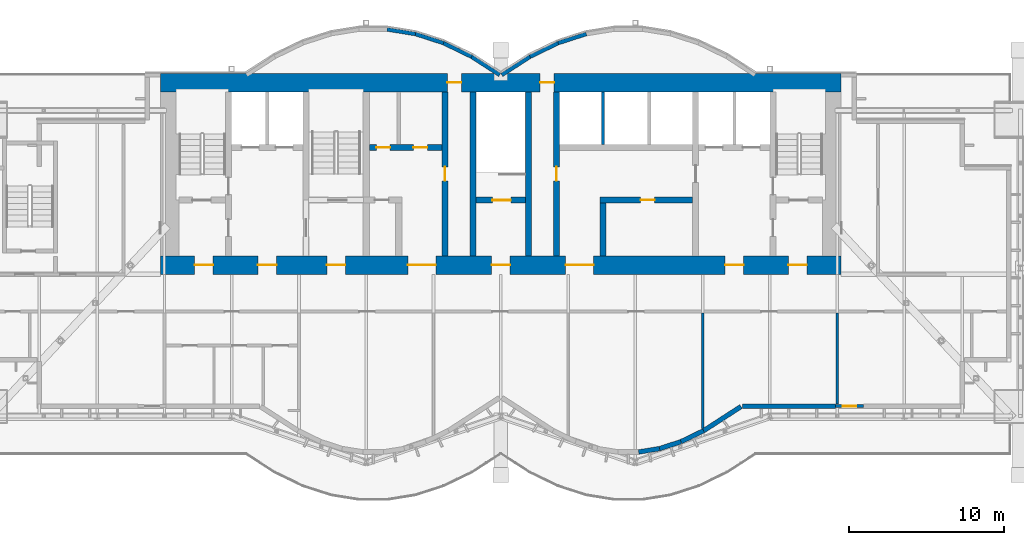
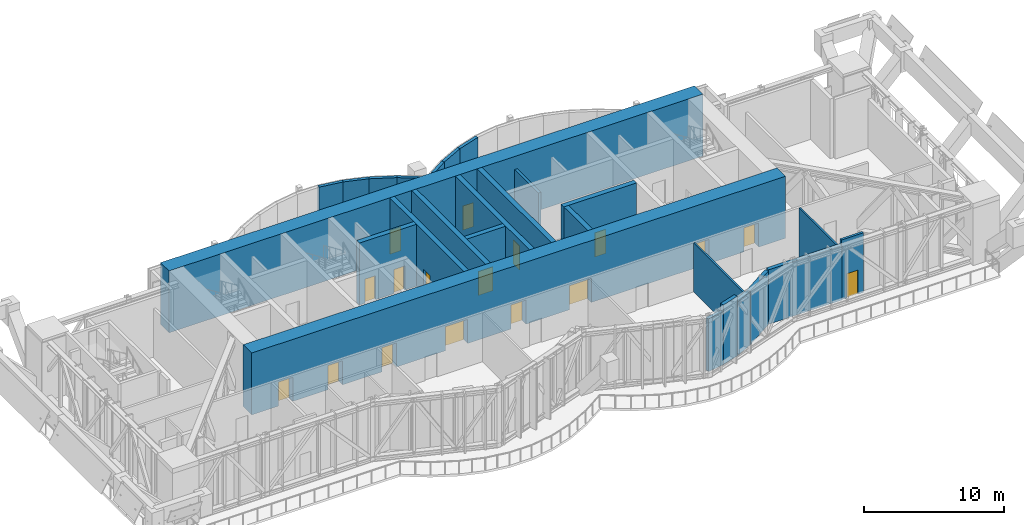
# One storey, part 15 of 20: 26 walls, 17 doors, 17 openings.
"""IFC4 building model written with IfcOpenShell, lengths in metres."""

from ifc_helpers import new_model, si_unit, direction, frame, frame_2d, origin, place, context, subcontext, project, spatial, rectangle, extrude, material, layer, layer_set, layer_usage, type_object, element, fill, save


model = new_model("IFC4")

# Units and contexts
model_context = context("Model", 3, precision=1e-05, world=origin(), true_north=direction((0.0, 1.0)))
body_context = subcontext(model_context, "Body", "Model", "MODEL_VIEW")
ifc_project = project(units=[si_unit("LENGTHUNIT", "METRE"), si_unit("AREAUNIT", "SQUARE_METRE"), si_unit("VOLUMEUNIT", "CUBIC_METRE"), si_unit("PLANEANGLEUNIT", "RADIAN"), si_unit("MASSUNIT", "GRAM", prefix="KILO")], contexts=[model_context])

# Site, building, storey
site_placement = place(None, origin())
site = spatial("IfcSite", under=ifc_project, at=site_placement, CompositionType="ELEMENT")
building_placement = place(site_placement, origin())
building = spatial("IfcBuilding", under=site, at=building_placement, Name="Bicima Exchange Tower", CompositionType="ELEMENT")
storey_placement = place(building_placement, frame((0.0, 0.0, 342.5)))
storey = spatial("IfcBuildingStorey", under=building, at=storey_placement, Name="L77", CompositionType="ELEMENT", Elevation=342.5)

# Wall, opening, door
ifc_material_1 = material(Name="Concrete C40/50", Category="concrete")
ifc_layer_1 = layer(ifc_material_1, 0.2)
ifc_layer_set_1 = layer_set([ifc_layer_1], Name="Concrete C40/50")
ifc_layer_usage_1 = layer_usage(ifc_layer_set_1, "AXIS2", "POSITIVE", -0.1)
wall_type_1 = type_object("IfcWallType", Name="Entrance frame wall 200", PredefinedType="STANDARD", material=ifc_layer_set_1)
wall_1_placement = place(storey_placement, frame((23.449951171875, -21.52587890625, 0.0), z_axis=(0.0, 0.0, 1.0), x_axis=(-1.0, 0.0, 0.0)))
wall_1 = element("IfcWall", 1, at=wall_1_placement, inside=storey, type_object=wall_type_1, material=ifc_layer_usage_1, Name="Band door frame wall L77", PredefinedType="STANDARD", context=body_context, shape_type="SweptSolid", body=[
    extrude(rectangle(XDim=1.800048828125, YDim=0.199951171875, at=frame_2d((0.89990234375, 0.0))), origin(), (0.0, 0.0, 1.0), 5.199951171875),
])
opening_1_placement = place(wall_1_placement, frame((0.449951171875, 0.0, 0.0)))
opening_1 = element("IfcOpeningElement", 2, at=opening_1_placement, cuts=wall_1, Name="Opening DX5", PredefinedType="OPENING", context=body_context, shape_type="SweptSolid", body=[
    extrude(rectangle(XDim=0.89990234375, YDim=2.10009765625, at=frame_2d((0.449951171875, 1.050048828125))), frame((0.0, 0.11181640625, 0.0), z_axis=(0.0, -1.0, 0.0), x_axis=(1.0, 0.0, 0.0)), (0.0, 0.0, 1.0), 0.223876953125),
])
ifc_material_2 = material(Name="Anodised bronze aluminium and bonded safety glass", Category="aluminium")
door_type_1 = type_object("IfcDoorType", Name="Band terrace door, single leaf 900 x 2100", OperationType="SINGLE_SWING_LEFT", PredefinedType="DOOR", material=ifc_material_2)
door_1_placement = place(opening_1_placement, origin())
door_1 = element("IfcDoor", 3, at=door_1_placement, inside=storey, type_object=door_type_1, Name="Band door door L77", OperationType="SINGLE_SWING_LEFT", OverallHeight=2.10009765625, OverallWidth=0.89990234375, PredefinedType="DOOR", context=body_context, shape_type="SweptSolid", body=[
    extrude(rectangle(XDim=0.89990234375, YDim=2.10009765625, at=frame_2d((0.449951171875, 1.050048828125))), frame((0.0, 0.02490234375, 0.0), z_axis=(0.0, -1.0, 0.0), x_axis=(1.0, 0.0, 0.0)), (0.0, 0.0, 1.0), 0.050048828125),
])
fill(opening_1, door_1)

# Walls
ifc_material_3 = material(Name="Gypsum board partition")
ifc_layer_2 = layer(ifc_material_3, 0.199951171875)
ifc_layer_set_2 = layer_set([ifc_layer_2], Name="Gypsum board partition")
wall_type_2 = type_object("IfcWallType", Name="Fire-rated gypsum partition 200 EI120", PredefinedType="PARTITIONING", material=ifc_layer_set_2)
wall_2_placement = place(storey_placement, frame((6.60009765625, -4.60009765625, 0.0), z_axis=(0.0, 0.0, 1.0), x_axis=(0.0, 1.0, 0.0)))
element("IfcWall", 4, at=wall_2_placement, inside=storey, type_object=wall_type_2, Name="partition wall 20", PredefinedType="PARTITIONING", context=body_context, shape_type="SweptSolid", body=[
    extrude(rectangle(XDim=3.400146484375, YDim=0.199951171875, at=frame_2d((1.7001953125, 0.0))), origin(), (0.0, 0.0, 1.0), 4.268310546875),
])
ifc_layer_3 = layer(ifc_material_3, 0.14990234375)
ifc_layer_set_3 = layer_set([ifc_layer_3], Name="Gypsum board partition")
wall_type_3 = type_object("IfcWallType", Name="Gypsum partition 150", PredefinedType="PARTITIONING", material=ifc_layer_set_3)
wall_3_placement = place(storey_placement, frame((13.050048828125, -22.97998046875, 0.0), z_axis=(0.0, 0.0, 1.0), x_axis=(0.0, 1.0, 0.0)))
element("IfcWall", 5, at=wall_3_placement, inside=storey, type_object=wall_type_3, Name="partition wall 18", PredefinedType="PARTITIONING", context=body_context, shape_type="SweptSolid", body=[
    extrude(rectangle(XDim=7.47998046875, YDim=0.14990234375, at=frame_2d((3.739990234375, 0.0))), origin(), (0.0, 0.0, 1.0), 4.268310546875),
])
wall_4_placement = place(storey_placement, frame((21.75, -21.3798828125, 0.0), z_axis=(0.0, 0.0, 1.0), x_axis=(0.0, 1.0, 0.0)))
element("IfcWall", 6, at=wall_4_placement, inside=storey, type_object=wall_type_3, Name="partition wall 19", PredefinedType="PARTITIONING", context=body_context, shape_type="SweptSolid", body=[
    extrude(rectangle(XDim=5.8798828125, YDim=0.14990234375, at=frame_2d((2.93994140625, 0.0))), origin(), (0.0, 0.0, 1.0), 4.268310546875),
])

# Wall, openings, doors
ifc_layer_4 = layer(ifc_material_1, 1.199951171875)
ifc_layer_set_4 = layer_set([ifc_layer_4], Name="Concrete C40/50")
wall_type_4 = type_object("IfcWallType", Name="RC core wall 1200 C40/50", PredefinedType="SHEAR", material=ifc_layer_set_4)
wall_5_placement = place(storey_placement, frame((-22.0, -0.60009765625, 0.0), z_axis=(0.0, 0.0, 1.0), x_axis=(1.0, 0.0, 0.0)))
wall_5 = element("IfcWall", 7, at=wall_5_placement, inside=storey, type_object=wall_type_4, Name="Core wall north", PredefinedType="SHEAR", context=body_context, shape_type="SweptSolid", body=[
    extrude(rectangle(XDim=44.0, YDim=1.199951171875, at=frame_2d((22.0, 0.0))), origin(), (0.0, 0.0, 1.0), 5.39990234375),
])
opening_2_placement = place(wall_5_placement, frame((18.550048828125, 0.0, 0.0)))
opening_2 = element("IfcOpeningElement", 8, at=opening_2_placement, cuts=wall_5, Name="Opening L77-C17", PredefinedType="OPENING", context=body_context, shape_type="SweptSolid", body=[
    extrude(rectangle(XDim=0.89990234375, YDim=2.10009765625, at=frame_2d((0.449951171875, 1.050048828125))), frame((0.0, 0.61181640625, 0.0), z_axis=(0.0, -1.0, 0.0), x_axis=(1.0, 0.0, 0.0)), (0.0, 0.0, 1.0), 1.223876953125),
])
opening_3_placement = place(wall_5_placement, frame((24.550048828125, 0.0, 0.0)))
opening_3 = element("IfcOpeningElement", 9, at=opening_3_placement, cuts=wall_5, Name="Opening L77-C18", PredefinedType="OPENING", context=body_context, shape_type="SweptSolid", body=[
    extrude(rectangle(XDim=0.89990234375, YDim=2.10009765625, at=frame_2d((0.449951171875, 1.050048828125))), frame((0.0, 0.61181640625, 0.0), z_axis=(0.0, -1.0, 0.0), x_axis=(1.0, 0.0, 0.0)), (0.0, 0.0, 1.0), 1.223876953125),
])
ifc_material_4 = material(Name="Steel fire door leaf", Category="steel")
door_type_2 = type_object("IfcDoorType", Name="Door 900 swing FD30S", OperationType="SINGLE_SWING_LEFT", PredefinedType="DOOR", material=ifc_material_4)
door_2_placement = place(opening_2_placement, origin())
door_2 = element("IfcDoor", 10, at=door_2_placement, inside=storey, type_object=door_type_2, Name="Core door", OperationType="SINGLE_SWING_LEFT", OverallHeight=2.10009765625, OverallWidth=0.89990234375, PredefinedType="DOOR", context=body_context, shape_type="SweptSolid", body=[
    extrude(rectangle(XDim=0.89990234375, YDim=2.10009765625, at=frame_2d((0.449951171875, 1.050048828125))), frame((0.0, 0.02490234375, 0.0), z_axis=(0.0, -1.0, 0.0), x_axis=(1.0, 0.0, 0.0)), (0.0, 0.0, 1.0), 0.050048828125),
])
fill(opening_2, door_2)
door_3_placement = place(opening_3_placement, origin())
door_3 = element("IfcDoor", 11, at=door_3_placement, inside=storey, type_object=door_type_2, Name="Core door", OperationType="SINGLE_SWING_LEFT", OverallHeight=2.10009765625, OverallWidth=0.89990234375, PredefinedType="DOOR", context=body_context, shape_type="SweptSolid", body=[
    extrude(rectangle(XDim=0.89990234375, YDim=2.10009765625, at=frame_2d((0.449951171875, 1.050048828125))), frame((0.0, 0.02490234375, 0.0), z_axis=(0.0, -1.0, 0.0), x_axis=(1.0, 0.0, 0.0)), (0.0, 0.0, 1.0), 0.050048828125),
])
fill(opening_3, door_3)

wall_6_placement = place(storey_placement, frame((-22.0, -12.39990234375, 0.0), z_axis=(0.0, 0.0, 1.0), x_axis=(1.0, 0.0, 0.0)))
wall_6 = element("IfcWall", 12, at=wall_6_placement, inside=storey, type_object=wall_type_4, Name="Core wall south", PredefinedType="SHEAR", context=body_context, shape_type="SweptSolid", body=[
    extrude(rectangle(XDim=44.0, YDim=1.199951171875, at=frame_2d((22.0, 0.0))), origin(), (0.0, 0.0, 1.0), 5.39990234375),
])
opening_4_placement = place(wall_6_placement, frame((2.199951171875, 0.0, 0.0)))
opening_4 = element("IfcOpeningElement", 13, at=opening_4_placement, cuts=wall_6, Name="Opening L77-C19", PredefinedType="OPENING", context=body_context, shape_type="SweptSolid", body=[
    extrude(rectangle(XDim=1.199951171875, YDim=2.10009765625, at=frame_2d((0.60009765625, 1.050048828125))), frame((0.0, 0.61181640625, 0.0), z_axis=(0.0, -1.0, 0.0), x_axis=(1.0, 0.0, 0.0)), (0.0, 0.0, 1.0), 1.223876953125),
])
opening_5_placement = place(wall_6_placement, frame((21.39990234375, 0.0, 0.0)))
opening_5 = element("IfcOpeningElement", 14, at=opening_5_placement, cuts=wall_6, Name="Opening L77-C20", PredefinedType="OPENING", context=body_context, shape_type="SweptSolid", body=[
    extrude(rectangle(XDim=1.199951171875, YDim=2.10009765625, at=frame_2d((0.60009765625, 1.050048828125))), frame((0.0, 0.61181640625, 0.0), z_axis=(0.0, -1.0, 0.0), x_axis=(1.0, 0.0, 0.0)), (0.0, 0.0, 1.0), 1.223876953125),
])
opening_6_placement = place(wall_6_placement, frame((40.60009765625, 0.0, 0.0)))
opening_6 = element("IfcOpeningElement", 15, at=opening_6_placement, cuts=wall_6, Name="Opening L77-C21", PredefinedType="OPENING", context=body_context, shape_type="SweptSolid", body=[
    extrude(rectangle(XDim=1.199951171875, YDim=2.10009765625, at=frame_2d((0.60009765625, 1.050048828125))), frame((0.0, 0.61181640625, 0.0), z_axis=(0.0, -1.0, 0.0), x_axis=(1.0, 0.0, 0.0)), (0.0, 0.0, 1.0), 1.223876953125),
])
opening_7_placement = place(wall_6_placement, frame((10.75, 0.0, 0.0)))
opening_7 = element("IfcOpeningElement", 16, at=opening_7_placement, cuts=wall_6, Name="Opening L77-C22", PredefinedType="OPENING", context=body_context, shape_type="SweptSolid", body=[
    extrude(rectangle(XDim=1.199951171875, YDim=2.10009765625, at=frame_2d((0.60009765625, 1.050048828125))), frame((0.0, 0.61181640625, 0.0), z_axis=(0.0, -1.0, 0.0), x_axis=(1.0, 0.0, 0.0)), (0.0, 0.0, 1.0), 1.223876953125),
])
opening_8_placement = place(wall_6_placement, frame((16.0, 0.0, 0.0)))
opening_8 = element("IfcOpeningElement", 17, at=opening_8_placement, cuts=wall_6, Name="Opening L77-C23", PredefinedType="OPENING", context=body_context, shape_type="SweptSolid", body=[
    extrude(rectangle(XDim=1.800048828125, YDim=2.10009765625, at=frame_2d((0.89990234375, 1.050048828125))), frame((0.0, 0.61181640625, 0.0), z_axis=(0.0, -1.0, 0.0), x_axis=(1.0, 0.0, 0.0)), (0.0, 0.0, 1.0), 1.223876953125),
])
opening_9_placement = place(wall_6_placement, frame((6.300048828125, 0.0, 0.0)))
opening_9 = element("IfcOpeningElement", 18, at=opening_9_placement, cuts=wall_6, Name="Opening L77-C24", PredefinedType="OPENING", context=body_context, shape_type="SweptSolid", body=[
    extrude(rectangle(XDim=1.199951171875, YDim=2.10009765625, at=frame_2d((0.60009765625, 1.050048828125))), frame((0.0, 0.61181640625, 0.0), z_axis=(0.0, -1.0, 0.0), x_axis=(1.0, 0.0, 0.0)), (0.0, 0.0, 1.0), 1.223876953125),
])
opening_10_placement = place(wall_6_placement, frame((26.199951171875, 0.0, 0.0)))
opening_10 = element("IfcOpeningElement", 19, at=opening_10_placement, cuts=wall_6, Name="Opening L77-C25", PredefinedType="OPENING", context=body_context, shape_type="SweptSolid", body=[
    extrude(rectangle(XDim=1.800048828125, YDim=2.10009765625, at=frame_2d((0.89990234375, 1.050048828125))), frame((0.0, 0.61181640625, 0.0), z_axis=(0.0, -1.0, 0.0), x_axis=(1.0, 0.0, 0.0)), (0.0, 0.0, 1.0), 1.223876953125),
])
opening_11_placement = place(wall_6_placement, frame((36.5, 0.0, 0.0)))
opening_11 = element("IfcOpeningElement", 20, at=opening_11_placement, cuts=wall_6, Name="Opening L77-C26", PredefinedType="OPENING", context=body_context, shape_type="SweptSolid", body=[
    extrude(rectangle(XDim=1.199951171875, YDim=2.10009765625, at=frame_2d((0.60009765625, 1.050048828125))), frame((0.0, 0.61181640625, 0.0), z_axis=(0.0, -1.0, 0.0), x_axis=(1.0, 0.0, 0.0)), (0.0, 0.0, 1.0), 1.223876953125),
])
door_type_3 = type_object("IfcDoorType", Name="Door 1200 swing FD60S", OperationType="SINGLE_SWING_LEFT", PredefinedType="DOOR", material=ifc_material_4)
door_4_placement = place(opening_4_placement, frame((1.199951171875, 0.0, 0.0), z_axis=(0.0, 0.0, 1.0), x_axis=(-1.0, 0.0, 0.0)))
door_4 = element("IfcDoor", 21, at=door_4_placement, inside=storey, type_object=door_type_3, Name="Core door", OperationType="SINGLE_SWING_RIGHT", OverallHeight=2.10009765625, OverallWidth=1.199951171875, PredefinedType="DOOR", context=body_context, shape_type="SweptSolid", body=[
    extrude(rectangle(XDim=1.199951171875, YDim=2.10009765625, at=frame_2d((0.60009765625, 1.050048828125))), frame((0.0, 0.02490234375, 0.0), z_axis=(0.0, -1.0, 0.0), x_axis=(1.0, 0.0, 0.0)), (0.0, 0.0, 1.0), 0.050048828125),
])
fill(opening_4, door_4)
door_5_placement = place(opening_5_placement, frame((1.199951171875, 0.0, 0.0), z_axis=(0.0, 0.0, 1.0), x_axis=(-1.0, 0.0, 0.0)))
door_5 = element("IfcDoor", 22, at=door_5_placement, inside=storey, type_object=door_type_3, Name="Core door", OperationType="SINGLE_SWING_RIGHT", OverallHeight=2.10009765625, OverallWidth=1.199951171875, PredefinedType="DOOR", context=body_context, shape_type="SweptSolid", body=[
    extrude(rectangle(XDim=1.199951171875, YDim=2.10009765625, at=frame_2d((0.60009765625, 1.050048828125))), frame((0.0, 0.02490234375, 0.0), z_axis=(0.0, -1.0, 0.0), x_axis=(1.0, 0.0, 0.0)), (0.0, 0.0, 1.0), 0.050048828125),
])
fill(opening_5, door_5)
door_6_placement = place(opening_6_placement, frame((1.199951171875, 0.0, 0.0), z_axis=(0.0, 0.0, 1.0), x_axis=(-1.0, 0.0, 0.0)))
door_6 = element("IfcDoor", 23, at=door_6_placement, inside=storey, type_object=door_type_3, Name="Core door", OperationType="SINGLE_SWING_RIGHT", OverallHeight=2.10009765625, OverallWidth=1.199951171875, PredefinedType="DOOR", context=body_context, shape_type="SweptSolid", body=[
    extrude(rectangle(XDim=1.199951171875, YDim=2.10009765625, at=frame_2d((0.60009765625, 1.050048828125))), frame((0.0, 0.02490234375, 0.0), z_axis=(0.0, -1.0, 0.0), x_axis=(1.0, 0.0, 0.0)), (0.0, 0.0, 1.0), 0.050048828125),
])
fill(opening_6, door_6)
door_7_placement = place(opening_7_placement, frame((1.199951171875, 0.0, 0.0), z_axis=(0.0, 0.0, 1.0), x_axis=(-1.0, 0.0, 0.0)))
door_7 = element("IfcDoor", 24, at=door_7_placement, inside=storey, type_object=door_type_3, Name="Core door", OperationType="SINGLE_SWING_RIGHT", OverallHeight=2.10009765625, OverallWidth=1.199951171875, PredefinedType="DOOR", context=body_context, shape_type="SweptSolid", body=[
    extrude(rectangle(XDim=1.199951171875, YDim=2.10009765625, at=frame_2d((0.60009765625, 1.050048828125))), frame((0.0, 0.02490234375, 0.0), z_axis=(0.0, -1.0, 0.0), x_axis=(1.0, 0.0, 0.0)), (0.0, 0.0, 1.0), 0.050048828125),
])
fill(opening_7, door_7)
door_8_placement = place(opening_9_placement, frame((1.199951171875, 0.0, 0.0), z_axis=(0.0, 0.0, 1.0), x_axis=(-1.0, 0.0, 0.0)))
door_8 = element("IfcDoor", 25, at=door_8_placement, inside=storey, type_object=door_type_3, Name="Core door", OperationType="SINGLE_SWING_RIGHT", OverallHeight=2.10009765625, OverallWidth=1.199951171875, PredefinedType="DOOR", context=body_context, shape_type="SweptSolid", body=[
    extrude(rectangle(XDim=1.199951171875, YDim=2.10009765625, at=frame_2d((0.60009765625, 1.050048828125))), frame((0.0, 0.02490234375, 0.0), z_axis=(0.0, -1.0, 0.0), x_axis=(1.0, 0.0, 0.0)), (0.0, 0.0, 1.0), 0.050048828125),
])
fill(opening_9, door_8)
door_9_placement = place(opening_11_placement, frame((1.199951171875, 0.0, 0.0), z_axis=(0.0, 0.0, 1.0), x_axis=(-1.0, 0.0, 0.0)))
door_9 = element("IfcDoor", 26, at=door_9_placement, inside=storey, type_object=door_type_3, Name="Core door", OperationType="SINGLE_SWING_RIGHT", OverallHeight=2.10009765625, OverallWidth=1.199951171875, PredefinedType="DOOR", context=body_context, shape_type="SweptSolid", body=[
    extrude(rectangle(XDim=1.199951171875, YDim=2.10009765625, at=frame_2d((0.60009765625, 1.050048828125))), frame((0.0, 0.02490234375, 0.0), z_axis=(0.0, -1.0, 0.0), x_axis=(1.0, 0.0, 0.0)), (0.0, 0.0, 1.0), 0.050048828125),
])
fill(opening_11, door_9)
door_type_4 = type_object("IfcDoorType", Name="Door 1800 double swing FD30S", OperationType="DOUBLE_DOOR_SINGLE_SWING", PredefinedType="DOOR", material=ifc_material_4)
door_10_placement = place(opening_8_placement, origin())
door_10 = element("IfcDoor", 27, at=door_10_placement, inside=storey, type_object=door_type_4, Name="Core door", OperationType="SINGLE_SWING_LEFT", OverallHeight=2.10009765625, OverallWidth=1.800048828125, PredefinedType="DOOR", context=body_context, shape_type="SweptSolid", body=[
    extrude(rectangle(XDim=1.800048828125, YDim=2.10009765625, at=frame_2d((0.89990234375, 1.050048828125))), frame((0.0, 0.02490234375, 0.0), z_axis=(0.0, -1.0, 0.0), x_axis=(1.0, 0.0, 0.0)), (0.0, 0.0, 1.0), 0.050048828125),
])
fill(opening_8, door_10)
door_11_placement = place(opening_10_placement, origin())
door_11 = element("IfcDoor", 28, at=door_11_placement, inside=storey, type_object=door_type_4, Name="Core door", OperationType="SINGLE_SWING_LEFT", OverallHeight=2.10009765625, OverallWidth=1.800048828125, PredefinedType="DOOR", context=body_context, shape_type="SweptSolid", body=[
    extrude(rectangle(XDim=1.800048828125, YDim=2.10009765625, at=frame_2d((0.89990234375, 1.050048828125))), frame((0.0, 0.02490234375, 0.0), z_axis=(0.0, -1.0, 0.0), x_axis=(1.0, 0.0, 0.0)), (0.0, 0.0, 1.0), 0.050048828125),
])
fill(opening_10, door_11)

# Wall, opening, door
ifc_layer_5 = layer(ifc_material_1, 0.39990234375)
ifc_layer_set_5 = layer_set([ifc_layer_5], Name="Concrete C40/50")
wall_type_5 = type_object("IfcWallType", Name="RC core wall 400 C40/50", PredefinedType="SHEAR", material=ifc_layer_set_5)
wall_7_placement = place(storey_placement, frame((6.39990234375, -8.199951171875, 0.0), z_axis=(0.0, 0.0, 1.0), x_axis=(1.0, 0.0, 0.0)))
wall_7 = element("IfcWall", 29, at=wall_7_placement, inside=storey, type_object=wall_type_5, Name="shear wall 4", PredefinedType="SHEAR", context=body_context, shape_type="SweptSolid", body=[
    extrude(rectangle(XDim=6.0, YDim=0.39990234375, at=frame_2d((3.0, 0.0))), origin(), (0.0, 0.0, 1.0), 5.39990234375),
])
opening_12_placement = place(wall_7_placement, frame((2.64990234375, 0.0, 0.0)))
opening_12 = element("IfcOpeningElement", 30, at=opening_12_placement, cuts=wall_7, Name="Opening L77-C16", PredefinedType="OPENING", context=body_context, shape_type="SweptSolid", body=[
    extrude(rectangle(XDim=0.89990234375, YDim=2.10009765625, at=frame_2d((0.449951171875, 1.050048828125))), frame((0.0, 0.2119140625, 0.0), z_axis=(0.0, -1.0, 0.0), x_axis=(1.0, 0.0, 0.0)), (0.0, 0.0, 1.0), 0.423828125),
])
door_12_placement = place(opening_12_placement, frame((0.89990234375, 0.0, 0.0), z_axis=(0.0, 0.0, 1.0), x_axis=(-1.0, 0.0, 0.0)))
door_12 = element("IfcDoor", 31, at=door_12_placement, inside=storey, type_object=door_type_2, Name="Core door", OperationType="SINGLE_SWING_LEFT", OverallHeight=2.10009765625, OverallWidth=0.89990234375, PredefinedType="DOOR", context=body_context, shape_type="SweptSolid", body=[
    extrude(rectangle(XDim=0.89990234375, YDim=2.10009765625, at=frame_2d((0.449951171875, 1.050048828125))), frame((0.0, 0.02490234375, 0.0), z_axis=(0.0, -1.0, 0.0), x_axis=(1.0, 0.0, 0.0)), (0.0, 0.0, 1.0), 0.050048828125),
])
fill(opening_12, door_12)

# Wall, openings, doors
wall_8_placement = place(storey_placement, frame((-8.5, -4.800048828125, 0.0), z_axis=(0.0, 0.0, 1.0), x_axis=(1.0, 0.0, 0.0)))
wall_8 = element("IfcWall", 32, at=wall_8_placement, inside=storey, type_object=wall_type_5, Name="shear wall 7", PredefinedType="SHEAR", context=body_context, shape_type="SweptSolid", body=[
    extrude(rectangle(XDim=4.699951171875, YDim=0.39990234375, at=frame_2d((2.35009765625, 0.0))), origin(), (0.0, 0.0, 1.0), 5.39990234375),
])
opening_13_placement = place(wall_8_placement, frame((0.449951171875, 0.0, 0.0)))
opening_13 = element("IfcOpeningElement", 33, at=opening_13_placement, cuts=wall_8, Name="Opening L77-C13", PredefinedType="OPENING", context=body_context, shape_type="SweptSolid", body=[
    extrude(rectangle(XDim=0.89990234375, YDim=2.10009765625, at=frame_2d((0.449951171875, 1.050048828125))), frame((0.0, 0.2119140625, 0.0), z_axis=(0.0, -1.0, 0.0), x_axis=(1.0, 0.0, 0.0)), (0.0, 0.0, 1.0), 0.423828125),
])
opening_14_placement = place(wall_8_placement, frame((2.85009765625, 0.0, 0.0)))
opening_14 = element("IfcOpeningElement", 34, at=opening_14_placement, cuts=wall_8, Name="Opening L77-C14", PredefinedType="OPENING", context=body_context, shape_type="SweptSolid", body=[
    extrude(rectangle(XDim=0.89990234375, YDim=2.10009765625, at=frame_2d((0.449951171875, 1.050048828125))), frame((0.0, 0.2119140625, 0.0), z_axis=(0.0, -1.0, 0.0), x_axis=(1.0, 0.0, 0.0)), (0.0, 0.0, 1.0), 0.423828125),
])
door_13_placement = place(opening_13_placement, origin())
door_13 = element("IfcDoor", 35, at=door_13_placement, inside=storey, type_object=door_type_2, Name="Core door", OperationType="SINGLE_SWING_LEFT", OverallHeight=2.10009765625, OverallWidth=0.89990234375, PredefinedType="DOOR", context=body_context, shape_type="SweptSolid", body=[
    extrude(rectangle(XDim=0.89990234375, YDim=2.10009765625, at=frame_2d((0.449951171875, 1.050048828125))), frame((0.0, 0.02490234375, 0.0), z_axis=(0.0, -1.0, 0.0), x_axis=(1.0, 0.0, 0.0)), (0.0, 0.0, 1.0), 0.050048828125),
])
fill(opening_13, door_13)
door_14_placement = place(opening_14_placement, origin())
door_14 = element("IfcDoor", 36, at=door_14_placement, inside=storey, type_object=door_type_2, Name="Core door", OperationType="SINGLE_SWING_RIGHT", OverallHeight=2.10009765625, OverallWidth=0.89990234375, PredefinedType="DOOR", context=body_context, shape_type="SweptSolid", body=[
    extrude(rectangle(XDim=0.89990234375, YDim=2.10009765625, at=frame_2d((0.449951171875, 1.050048828125))), frame((0.0, 0.02490234375, 0.0), z_axis=(0.0, -1.0, 0.0), x_axis=(1.0, 0.0, 0.0)), (0.0, 0.0, 1.0), 0.050048828125),
])
fill(opening_14, door_14)

# Wall, opening, door
wall_9_placement = place(storey_placement, frame((-3.60009765625, -11.800048828125, 0.0), z_axis=(0.0, 0.0, 1.0), x_axis=(0.0, 1.0, 0.0)))
wall_9 = element("IfcWall", 37, at=wall_9_placement, inside=storey, type_object=wall_type_5, Name="shear wall 15", PredefinedType="SHEAR", context=body_context, shape_type="SweptSolid", body=[
    extrude(rectangle(XDim=10.60009765625, YDim=0.39990234375, at=frame_2d((5.300048828125, 0.0))), origin(), (0.0, 0.0, 1.0), 5.39990234375),
])
opening_15_placement = place(wall_9_placement, frame((4.85009765625, 0.0, 0.0)))
opening_15 = element("IfcOpeningElement", 38, at=opening_15_placement, cuts=wall_9, Name="Opening L77-C11", PredefinedType="OPENING", context=body_context, shape_type="SweptSolid", body=[
    extrude(rectangle(XDim=0.89990234375, YDim=2.10009765625, at=frame_2d((0.449951171875, 1.050048828125))), frame((0.0, 0.2119140625, 0.0), z_axis=(0.0, -1.0, 0.0), x_axis=(1.0, 0.0, 0.0)), (0.0, 0.0, 1.0), 0.423828125),
])
door_15_placement = place(opening_15_placement, frame((0.89990234375, 0.0, 0.0), z_axis=(0.0, 0.0, 1.0), x_axis=(-1.0, 0.0, 0.0)))
door_15 = element("IfcDoor", 39, at=door_15_placement, inside=storey, type_object=door_type_2, Name="Core door", OperationType="SINGLE_SWING_RIGHT", OverallHeight=2.10009765625, OverallWidth=0.89990234375, PredefinedType="DOOR", context=body_context, shape_type="SweptSolid", body=[
    extrude(rectangle(XDim=0.89990234375, YDim=2.10009765625, at=frame_2d((0.449951171875, 1.050048828125))), frame((0.0, 0.02490234375, 0.0), z_axis=(0.0, -1.0, 0.0), x_axis=(1.0, 0.0, 0.0)), (0.0, 0.0, 1.0), 0.050048828125),
])
fill(opening_15, door_15)

wall_10_placement = place(storey_placement, frame((3.60009765625, -11.800048828125, 0.0), z_axis=(0.0, 0.0, 1.0), x_axis=(0.0, 1.0, 0.0)))
wall_10 = element("IfcWall", 40, at=wall_10_placement, inside=storey, type_object=wall_type_5, Name="shear wall 18", PredefinedType="SHEAR", context=body_context, shape_type="SweptSolid", body=[
    extrude(rectangle(XDim=10.60009765625, YDim=0.39990234375, at=frame_2d((5.300048828125, 0.0))), origin(), (0.0, 0.0, 1.0), 5.39990234375),
])
opening_16_placement = place(wall_10_placement, frame((4.85009765625, 0.0, 0.0)))
opening_16 = element("IfcOpeningElement", 41, at=opening_16_placement, cuts=wall_10, Name="Opening L77-C12", PredefinedType="OPENING", context=body_context, shape_type="SweptSolid", body=[
    extrude(rectangle(XDim=0.89990234375, YDim=2.10009765625, at=frame_2d((0.449951171875, 1.050048828125))), frame((0.0, 0.2119140625, 0.0), z_axis=(0.0, -1.0, 0.0), x_axis=(1.0, 0.0, 0.0)), (0.0, 0.0, 1.0), 0.423828125),
])
door_16_placement = place(opening_16_placement, origin())
door_16 = element("IfcDoor", 42, at=door_16_placement, inside=storey, type_object=door_type_2, Name="Core door", OperationType="SINGLE_SWING_RIGHT", OverallHeight=2.10009765625, OverallWidth=0.89990234375, PredefinedType="DOOR", context=body_context, shape_type="SweptSolid", body=[
    extrude(rectangle(XDim=0.89990234375, YDim=2.10009765625, at=frame_2d((0.449951171875, 1.050048828125))), frame((0.0, 0.02490234375, 0.0), z_axis=(0.0, -1.0, 0.0), x_axis=(1.0, 0.0, 0.0)), (0.0, 0.0, 1.0), 0.050048828125),
])
fill(opening_16, door_16)

# Wall
wall_11_placement = place(storey_placement, frame((6.60009765625, -11.800048828125, 0.0), z_axis=(0.0, 0.0, 1.0), x_axis=(0.0, 1.0, 0.0)))
element("IfcWall", 43, at=wall_11_placement, inside=storey, type_object=wall_type_5, Name="shear wall 19", PredefinedType="SHEAR", context=body_context, shape_type="SweptSolid", body=[
    extrude(rectangle(XDim=3.400146484375, YDim=0.39990234375, at=frame_2d((1.7001953125, 0.0))), origin(), (0.0, 0.0, 1.0), 5.39990234375),
])

# Wall, opening, door
ifc_material_5 = material(Name="Concrete C50/60", Category="concrete")
ifc_layer_6 = layer(ifc_material_5, 0.39990234375)
ifc_layer_set_6 = layer_set([ifc_layer_6], Name="Concrete C50/60")
wall_type_6 = type_object("IfcWallType", Name="RC core wall 400 C50/60", PredefinedType="SHEAR", material=ifc_layer_set_6)
wall_12_placement = place(storey_placement, frame((-1.60009765625, -8.199951171875, 0.0), z_axis=(0.0, 0.0, 1.0), x_axis=(1.0, 0.0, 0.0)))
wall_12 = element("IfcWall", 44, at=wall_12_placement, inside=storey, type_object=wall_type_6, Name="stair wall 3", PredefinedType="SHEAR", context=body_context, shape_type="SweptSolid", body=[
    extrude(rectangle(XDim=3.2001953125, YDim=0.39990234375, at=frame_2d((1.60009765625, 0.0))), origin(), (0.0, 0.0, 1.0), 5.39990234375),
])
opening_17_placement = place(wall_12_placement, frame((1.050048828125, 0.0, 0.0)))
opening_17 = element("IfcOpeningElement", 45, at=opening_17_placement, cuts=wall_12, Name="Opening L77-C03", PredefinedType="OPENING", context=body_context, shape_type="SweptSolid", body=[
    extrude(rectangle(XDim=1.199951171875, YDim=2.10009765625, at=frame_2d((0.60009765625, 1.050048828125))), frame((0.0, 0.2119140625, 0.0), z_axis=(0.0, -1.0, 0.0), x_axis=(1.0, 0.0, 0.0)), (0.0, 0.0, 1.0), 0.423828125),
])
door_17_placement = place(opening_17_placement, origin())
door_17 = element("IfcDoor", 46, at=door_17_placement, inside=storey, type_object=door_type_3, Name="Core door", OperationType="SINGLE_SWING_LEFT", OverallHeight=2.10009765625, OverallWidth=1.199951171875, PredefinedType="DOOR", context=body_context, shape_type="SweptSolid", body=[
    extrude(rectangle(XDim=1.199951171875, YDim=2.10009765625, at=frame_2d((0.60009765625, 1.050048828125))), frame((0.0, 0.02490234375, 0.0), z_axis=(0.0, -1.0, 0.0), x_axis=(1.0, 0.0, 0.0)), (0.0, 0.0, 1.0), 0.050048828125),
])
fill(opening_17, door_17)

# Walls
for number, where, z_axis, x_axis, name in (
    (47, (-1.800048828125, -11.800048828125, 0.0), (0.0, 0.0, 1.0), (0.0, 1.0, 0.0), "stair wall 16"),
    (48, (1.800048828125, -11.800048828125, 0.0), (0.0, 0.0, 1.0), (0.0, 1.0, 0.0), "stair wall 17"),
):
    element("IfcWall", number, at=place(storey_placement, frame(where, z_axis=z_axis, x_axis=x_axis)), inside=storey, type_object=wall_type_6, Name=name, PredefinedType="SHEAR", context=body_context, shape_type="SweptSolid", body=[
        extrude(rectangle(XDim=10.60009765625, YDim=0.39990234375, at=frame_2d((5.300048828125, 0.0))), origin(), (0.0, 0.0, 1.0), 5.39990234375),
    ])
ifc_layer_7 = layer(ifc_material_1, 0.25)
ifc_layer_set_7 = layer_set([ifc_layer_7], Name="Concrete C40/50")
ifc_layer_usage_2 = layer_usage(ifc_layer_set_7, "AXIS2", "POSITIVE", -0.125)
wall_type_7 = type_object("IfcWallType", Name="Rear backup wall 250", PredefinedType="STANDARD", material=ifc_layer_set_7)
wall_13_placement = place(storey_placement, frame((5.538330078125, 2.5478515625, 0.0), z_axis=(0.0, 0.0, 1.0), x_axis=(-0.951495806175, -0.307661714928, 0.0)))
element("IfcWall", 49, at=wall_13_placement, inside=storey, type_object=wall_type_7, material=ifc_layer_usage_2, Name="Rear backup wall L77 13", PredefinedType="STANDARD", context=body_context, shape_type="SweptSolid", body=[
    extrude(rectangle(XDim=1.9267578125, YDim=0.25, at=frame_2d((0.96337890625, 0.0))), origin(), (0.0, 0.0, 1.0), 5.199951171875),
])
wall_14_placement = place(storey_placement, frame((3.72119140625, 1.961669921875, 0.0), z_axis=(0.0, 0.0, 1.0), x_axis=(-0.89982408427, -0.436252928206, 0.0)))
element("IfcWall", 50, at=wall_14_placement, inside=storey, type_object=wall_type_7, material=ifc_layer_usage_2, Name="Rear backup wall L77 14", PredefinedType="STANDARD", context=body_context, shape_type="SweptSolid", body=[
    extrude(rectangle(XDim=2.03759765625, YDim=0.25, at=frame_2d((1.018798828125, 0.0))), origin(), (0.0, 0.0, 1.0), 5.199951171875),
])
for number, where, z_axis, x_axis, name in (
    (51, (1.901123046875, 1.080078125, 0.0), (0.0, 0.0, 1.0), (-0.83981312244, -0.542875602121, 0.0), "Rear backup wall L77 15"),
    (52, (-0.06787109375, -0.10498046875, 0.0), (0.0, 0.0, 1.0), (-0.83981312244, 0.542875602121, 0.0), "Rear backup wall L77 16"),
):
    element("IfcWall", number, at=place(storey_placement, frame(where, z_axis=z_axis, x_axis=x_axis)), inside=storey, type_object=wall_type_7, material=ifc_layer_usage_2, Name=name, PredefinedType="STANDARD", context=body_context, shape_type="SweptSolid", body=[
        extrude(rectangle(XDim=2.182861328125, YDim=0.25, at=frame_2d((1.09130859375, 0.0))), origin(), (0.0, 0.0, 1.0), 5.199951171875),
    ])
wall_15_placement = place(storey_placement, frame((-1.8876953125, 1.07275390625, 0.0), z_axis=(0.0, 0.0, 1.0), x_axis=(-0.89982408427, 0.436252928206, 0.0)))
element("IfcWall", 53, at=wall_15_placement, inside=storey, type_object=wall_type_7, material=ifc_layer_usage_2, Name="Rear backup wall L77 17", PredefinedType="STANDARD", context=body_context, shape_type="SweptSolid", body=[
    extrude(rectangle(XDim=2.03759765625, YDim=0.25, at=frame_2d((1.018798828125, 0.0))), origin(), (0.0, 0.0, 1.0), 5.199951171875),
])
wall_16_placement = place(storey_placement, frame((-3.705078125, 1.955078125, 0.0), z_axis=(0.0, 0.0, 1.0), x_axis=(-0.951495806175, 0.307661714928, 0.0)))
element("IfcWall", 54, at=wall_16_placement, inside=storey, type_object=wall_type_7, material=ifc_layer_usage_2, Name="Rear backup wall L77 18", PredefinedType="STANDARD", context=body_context, shape_type="SweptSolid", body=[
    extrude(rectangle(XDim=1.9267578125, YDim=0.25, at=frame_2d((0.96337890625, 0.0))), origin(), (0.0, 0.0, 1.0), 5.199951171875),
])
wall_17_placement = place(storey_placement, frame((-5.52001953125, 2.543212890625, 0.0), z_axis=(0.0, 0.0, 1.0), x_axis=(-0.987181718931, 0.159600293885, 0.0)))
element("IfcWall", 55, at=wall_17_placement, inside=storey, type_object=wall_type_7, material=ifc_layer_usage_2, Name="Rear backup wall L77 19", PredefinedType="STANDARD", context=body_context, shape_type="SweptSolid", body=[
    extrude(rectangle(XDim=1.857177734375, YDim=0.25, at=frame_2d((0.9287109375, 0.0))), origin(), (0.0, 0.0, 1.0), 5.199951171875),
])
ifc_layer_8 = layer(ifc_material_1, 0.3)
ifc_layer_set_8 = layer_set([ifc_layer_8], Name="Concrete C40/50")
ifc_layer_usage_3 = layer_usage(ifc_layer_set_8, "AXIS2", "POSITIVE", -0.15)
wall_type_8 = type_object("IfcWallType", Name="Refuge band wall 300", PredefinedType="STANDARD", material=ifc_layer_set_8)
wall_18_placement = place(storey_placement, frame((8.913818359375, -24.489013671875, 0.0), z_axis=(0.0, 0.0, 1.0), x_axis=(0.987194777017, 0.15951950423, 0.0)))
element("IfcWall", 56, at=wall_18_placement, inside=storey, type_object=wall_type_8, material=ifc_layer_usage_3, Name="Refuge band wall L77", PredefinedType="STANDARD", context=body_context, shape_type="SweptSolid", body=[
    extrude(rectangle(XDim=1.36376953125, YDim=0.300048828125, at=frame_2d((0.681884765625, 0.0))), origin(), (0.0, 0.0, 1.0), 4.6005859375),
])
wall_19_placement = place(storey_placement, frame((10.260009765625, -24.271484375, 0.0), z_axis=(0.0, 0.0, 1.0), x_axis=(0.951539081691, 0.307527845919, 0.0)))
element("IfcWall", 57, at=wall_19_placement, inside=storey, type_object=wall_type_8, material=ifc_layer_usage_3, Name="Refuge band wall L77", PredefinedType="STANDARD", context=body_context, shape_type="SweptSolid", body=[
    extrude(rectangle(XDim=1.467041015625, YDim=0.300048828125, at=frame_2d((0.7333984375, 0.0))), origin(), (0.0, 0.0, 1.0), 5.199951171875),
])
wall_20_placement = place(storey_placement, frame((11.656005859375, -23.8203125, 0.0), z_axis=(0.0, 0.0, 1.0), x_axis=(0.899798026589, 0.436306671214, 0.0)))
element("IfcWall", 58, at=wall_20_placement, inside=storey, type_object=wall_type_8, material=ifc_layer_usage_3, Name="Refuge band wall L77", PredefinedType="STANDARD", context=body_context, shape_type="SweptSolid", body=[
    extrude(rectangle(XDim=1.62548828125, YDim=0.300048828125, at=frame_2d((0.812744140625, 0.0))), origin(), (0.0, 0.0, 1.0), 4.671630859375),
])
wall_21_placement = place(storey_placement, frame((13.11865234375, -23.111083984375, 0.0), z_axis=(0.0, 0.0, 1.0), x_axis=(0.839779682339, 0.542927329512, 0.0)))
element("IfcWall", 59, at=wall_21_placement, inside=storey, type_object=wall_type_8, material=ifc_layer_usage_3, Name="Refuge band wall L77", PredefinedType="STANDARD", context=body_context, shape_type="SweptSolid", body=[
    extrude(rectangle(XDim=2.875244140625, YDim=0.300048828125, at=frame_2d((1.4375, 0.0))), origin(), (0.0, 0.0, 1.0), 4.671630859375),
])
wall_22_placement = place(storey_placement, frame((15.61474609375, -21.52587890625, 0.0), z_axis=(0.0, 0.0, 1.0), x_axis=(1.0, 0.0, 0.0)))
element("IfcWall", 60, at=wall_22_placement, inside=storey, type_object=wall_type_8, material=ifc_layer_usage_3, Name="Refuge band wall L77", PredefinedType="STANDARD", context=body_context, shape_type="SweptSolid", body=[
    extrude(rectangle(XDim=6.03515625, YDim=0.300048828125, at=frame_2d((3.017578125, 0.0))), origin(), (0.0, 0.0, 1.0), 4.745361328125),
])

save(model, "model.ifc")
